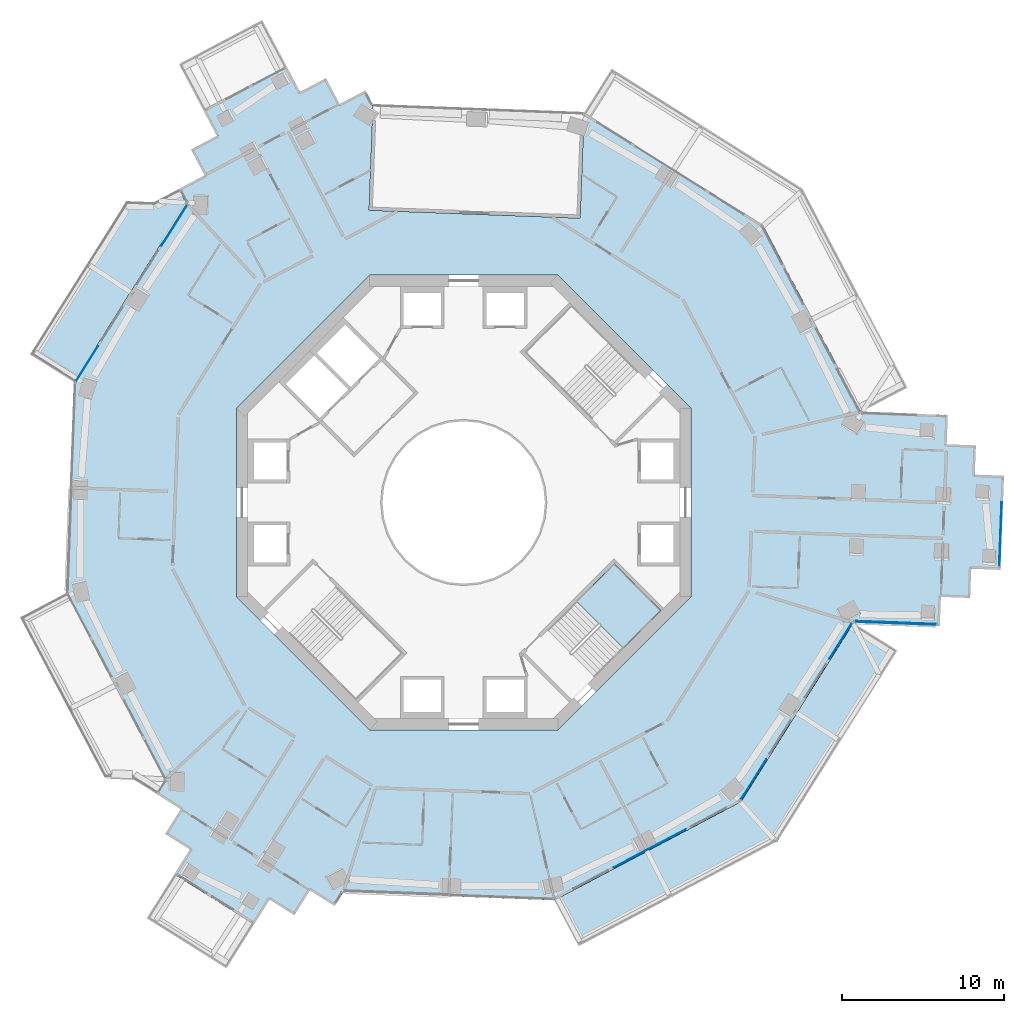
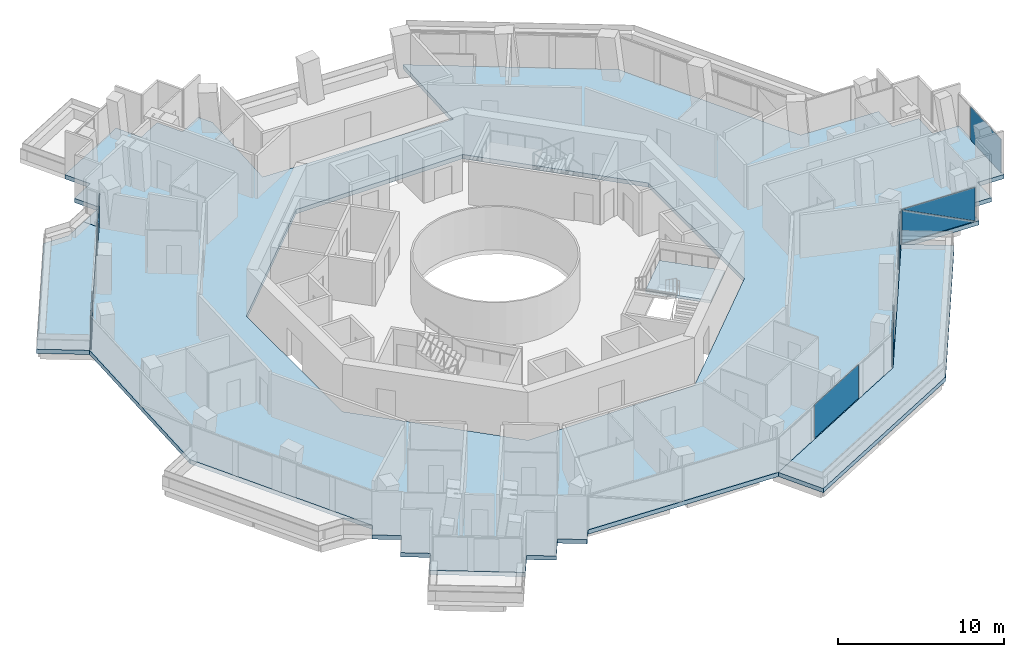
# One storey, part 12 of 23: 9 plates, 4 slabs, 6 elements without a shape of their own.
"""IFC4 building model written with IfcOpenShell, lengths in metres."""

from ifc_helpers import new_model, si_unit, direction, frame, origin, origin_2d, place, context, subcontext, project, spatial, polyline, rectangle, outline, extrude, material, layer, layer_set, type_object, element, aggregate, save


model = new_model("IFC4")

# Units and contexts
model_context = context("Model", 3, precision=1e-05, world=origin(), true_north=direction((0.0, 1.0)))
body_context = subcontext(model_context, "Body", "Model", "MODEL_VIEW")
ifc_project = project(units=[si_unit("LENGTHUNIT", "METRE"), si_unit("AREAUNIT", "SQUARE_METRE"), si_unit("VOLUMEUNIT", "CUBIC_METRE"), si_unit("PLANEANGLEUNIT", "RADIAN"), si_unit("MASSUNIT", "GRAM", prefix="KILO")], contexts=[model_context])

# Site, building, storey
site_placement = place(None, origin())
site = spatial("IfcSite", under=ifc_project, at=site_placement, CompositionType="ELEMENT")
building_placement = place(site_placement, origin())
building = spatial("IfcBuilding", under=site, at=building_placement, Name="Verdalira Terraces Hotel", CompositionType="ELEMENT")
storey_placement = place(building_placement, frame((0.0, 0.0, 147.0)))
storey = spatial("IfcBuildingStorey", under=building, at=storey_placement, Name="L35", CompositionType="ELEMENT", Elevation=147.0)

# Slabs
ifc_material_1 = material(Name="Precast concrete C40/50", Category="concrete")
ifc_layer_1 = layer(ifc_material_1, 0.31005859375)
ifc_layer_set_1 = layer_set([ifc_layer_1], Name="Balcony deck 310")
slab_type_1 = type_object("IfcSlabType", Name="Balcony deck 310", PredefinedType="FLOOR", material=ifc_layer_set_1)
slab_1_placement = place(storey_placement, frame((0.0, 0.0, -0.310059)))
element("IfcSlab", 1, at=slab_1_placement, inside=storey, type_object=slab_type_1, Name="Balcony deck", PredefinedType="FLOOR", context=body_context, shape_type="SweptSolid", body=[
    extrude(outline(polyline([(-20.768799, 18.554199), (-26.705078, 9.113037), (-23.996094, 7.409668), (-17.076416, 18.415039), (-17.543457, 19.299316), (-19.074951, 18.490479), (-20.768799, 18.554199)])), origin(), (0.0, 0.0, 1.0), 0.310059),
])
slab_2_placement = place(storey_placement, frame((0.0, 0.0, -0.310059)))
element("IfcSlab", 2, at=slab_2_placement, inside=storey, type_object=slab_type_1, Name="Balcony deck", PredefinedType="FLOOR", context=body_context, shape_type="SweptSolid", body=[
    extrude(outline(polyline([(26.705078, -9.113037), (23.996094, -7.409668), (17.076416, -18.415039), (5.581055, -24.486084), (7.075439, -27.315674), (19.329102, -20.844238), (26.705078, -9.113037)])), origin(), (0.0, 0.0, 1.0), 0.310059),
])

# Curtain wall, plates
ifc_material_2 = material(Name="Clear glass", Category="glass")
ifc_layer_2 = layer(ifc_material_2, 0.14990234375)
ifc_layer_set_2 = layer_set([ifc_layer_2], Name="CW1 curtain wall")
curtain_wall_type_1 = type_object("IfcCurtainWallType", Name="CW1 curtain wall", PredefinedType="NOTDEFINED", material=ifc_layer_set_2)
curtain_wall_1_placement = place(storey_placement, origin())
curtain_wall_1 = element("IfcCurtainWall", 3, at=curtain_wall_1_placement, inside=storey, type_object=curtain_wall_type_1, Name="CW1 curtain wall L35 edge 11", PredefinedType="NOTDEFINED")
ifc_material_3 = material(Name="Clear glass", Category="glass")
ifc_layer_3 = layer(ifc_material_3, 0.028076171875)
ifc_layer_set_3 = layer_set([ifc_layer_3], Name="CW1 glass unit 28")
plate_type_1 = type_object("IfcPlateType", Name="CW1 glass unit 28", PredefinedType="CURTAIN_PANEL", material=ifc_layer_set_3)
plate_1_placement = place(storey_placement, frame((-17.822021, 17.061768, 1.237549), z_axis=(-0.846564978, 0.532285392, 0.0), x_axis=(-0.532285392, -0.846564978, 0.0)))
plate_1 = element("IfcPlate", 4, at=plate_1_placement, type_object=plate_type_1, Name="CW1 glass unit", PredefinedType="CURTAIN_PANEL", context=body_context, shape_type="SweptSolid", body=[
    extrude(outline(polyline([(-1.482422, -1.237549), (1.482422, -1.237549), (1.482422, 1.237549), (-1.482422, -1.237549)])), origin(), (0.0, 0.0, 1.0), 0.028076),
])
plate_2_placement = place(storey_placement, frame((-17.797607, 17.046387, 1.237549), z_axis=(-0.846564978, 0.532285392, 0.0), x_axis=(-0.532285392, -0.846564978, 0.0)))
plate_2 = element("IfcPlate", 5, at=plate_2_placement, type_object=plate_type_1, Name="CW1 glass unit", PredefinedType="CURTAIN_PANEL", context=body_context, shape_type="SweptSolid", body=[
    extrude(outline(polyline([(-1.482422, -1.237549), (1.482422, 1.237549), (-1.482422, 1.237549), (-1.482422, -1.237549)])), origin(), (0.0, 0.0, 1.0), 0.028076),
])
plate_3_placement = place(storey_placement, frame((-23.196777, 8.540039, 0.0), z_axis=(0.0, 0.0, 1.0), x_axis=(-0.532285392, -0.846564978, 0.0)))
plate_3 = element("IfcPlate", 6, at=plate_3_placement, type_object=plate_type_1, Name="CW1 glass unit", PredefinedType="CURTAIN_PANEL", context=body_context, shape_type="SweptSolid", body=[
    extrude(rectangle(XDim=2.564209, YDim=0.028076, at=origin_2d()), origin(), (0.0, 0.0, 1.0), 2.475098),
])
aggregate(curtain_wall_1, [plate_1, plate_2, plate_3])

# Curtain wall, plate
curtain_wall_2_placement = place(storey_placement, origin())
curtain_wall_2 = element("IfcCurtainWall", 7, at=curtain_wall_2_placement, inside=storey, type_object=curtain_wall_type_1, Name="CW1 curtain wall L35 edge 26", PredefinedType="NOTDEFINED")
plate_4_placement = place(storey_placement, frame((11.451904, -21.300781, 0.0), z_axis=(0.0, 0.0, 1.0), x_axis=(0.88425516, 0.467004081, 0.0)))
plate_4 = element("IfcPlate", 8, at=plate_4_placement, type_object=plate_type_1, Name="CW1 glass unit", PredefinedType="CURTAIN_PANEL", context=body_context, shape_type="SweptSolid", body=[
    extrude(rectangle(XDim=5.021729, YDim=0.028076, at=origin_2d()), origin(), (0.0, 0.0, 1.0), 2.475098),
])
aggregate(curtain_wall_2, [plate_4])

# Curtain wall, plates
curtain_wall_3_placement = place(storey_placement, origin())
curtain_wall_3 = element("IfcCurtainWall", 9, at=curtain_wall_3_placement, inside=storey, type_object=curtain_wall_type_1, Name="CW1 curtain wall L35 edge 27", PredefinedType="NOTDEFINED")
plate_5_placement = place(storey_placement, frame((17.844727, -17.052246, 0.0), z_axis=(0.0, 0.0, 1.0), x_axis=(0.532285392, 0.846564978, 0.0)))
plate_5 = element("IfcPlate", 10, at=plate_5_placement, type_object=plate_type_1, Name="CW1 glass unit", PredefinedType="CURTAIN_PANEL", context=body_context, shape_type="SweptSolid", body=[
    extrude(rectangle(XDim=2.924805, YDim=0.028076, at=origin_2d()), origin(), (0.0, 0.0, 1.0), 2.475098),
])
plate_6_placement = place(storey_placement, frame((23.20752, -8.522949, 0.0), z_axis=(0.0, 0.0, 1.0), x_axis=(0.532285392, 0.846564978, 0.0)))
plate_6 = element("IfcPlate", 11, at=plate_6_placement, type_object=plate_type_1, Name="CW1 glass unit", PredefinedType="CURTAIN_PANEL", context=body_context, shape_type="SweptSolid", body=[
    extrude(rectangle(XDim=2.604492, YDim=0.028076, at=origin_2d()), origin(), (0.0, 0.0, 1.0), 2.475098),
])
aggregate(curtain_wall_3, [plate_5, plate_6])

ifc_material_4 = material(Name="Clear glass", Category="glass")
ifc_layer_4 = layer(ifc_material_4, 0.14990234375)
ifc_layer_set_4 = layer_set([ifc_layer_4], Name="CW2 curtain wall")
curtain_wall_type_2 = type_object("IfcCurtainWallType", Name="CW2 curtain wall", PredefinedType="NOTDEFINED", material=ifc_layer_set_4)
curtain_wall_4_placement = place(storey_placement, origin())
curtain_wall_4 = element("IfcCurtainWall", 12, at=curtain_wall_4_placement, inside=storey, type_object=curtain_wall_type_2, Name="CW2 curtain wall L35 edge 28", PredefinedType="NOTDEFINED")
ifc_material_5 = material(Name="Clear glass", Category="glass")
ifc_layer_5 = layer(ifc_material_5, 0.031982421875)
ifc_layer_set_5 = layer_set([ifc_layer_5], Name="CW2 glass unit 32")
plate_type_2 = type_object("IfcPlateType", Name="CW2 glass unit 32", PredefinedType="CURTAIN_PANEL", material=ifc_layer_set_5)
plate_7_placement = place(storey_placement, frame((26.581299, -7.41626, 1.237549), z_axis=(-0.037690183, -0.999289473, 0.0), x_axis=(0.999289473, -0.037690183, 0.0)))
plate_7 = element("IfcPlate", 13, at=plate_7_placement, type_object=plate_type_2, Name="CW2 glass unit", PredefinedType="CURTAIN_PANEL", context=body_context, shape_type="SweptSolid", body=[
    extrude(outline(polyline([(-2.513672, -1.237549), (2.513672, -1.237549), (-2.513672, 1.237549), (-2.513672, -1.237549)])), origin(), (0.0, 0.0, 1.0), 0.031982),
])
plate_8_placement = place(storey_placement, frame((26.582764, -7.383301, 1.237549), z_axis=(-0.037690183, -0.999289473, 0.0), x_axis=(0.999289473, -0.037690183, 0.0)))
plate_8 = element("IfcPlate", 14, at=plate_8_placement, type_object=plate_type_2, Name="CW2 glass unit", PredefinedType="CURTAIN_PANEL", context=body_context, shape_type="SweptSolid", body=[
    extrude(outline(polyline([(2.513672, -1.237549), (2.513672, 1.237549), (-2.513672, 1.237549), (2.513672, -1.237549)])), origin(), (0.0, 0.0, 1.0), 0.031982),
])
aggregate(curtain_wall_4, [plate_7, plate_8])

# Curtain wall, plate
ifc_material_6 = material(Name="Clear glass", Category="glass")
ifc_layer_6 = layer(ifc_material_6, 0.14990234375)
ifc_layer_set_6 = layer_set([ifc_layer_6], Name="CW3 curtain wall")
curtain_wall_type_3 = type_object("IfcCurtainWallType", Name="CW3 curtain wall", PredefinedType="NOTDEFINED", material=ifc_layer_set_6)
curtain_wall_5_placement = place(storey_placement, origin())
curtain_wall_5 = element("IfcCurtainWall", 15, at=curtain_wall_5_placement, inside=storey, type_object=curtain_wall_type_3, Name="CW3 curtain wall L35 edge 33", PredefinedType="NOTDEFINED")
ifc_material_7 = material(Name="Clear glass", Category="glass")
ifc_layer_7 = layer(ifc_material_7, 0.035888671875)
ifc_layer_set_7 = layer_set([ifc_layer_7], Name="CW3 glass unit 36")
plate_type_3 = type_object("IfcPlateType", Name="CW3 glass unit 36", PredefinedType="CURTAIN_PANEL", material=ifc_layer_set_7)
plate_9_placement = place(storey_placement, frame((33.050537, -1.952148, 0.0), z_axis=(0.0, 0.0, 1.0), x_axis=(0.037690183, 0.999289473, 0.0)))
plate_9 = element("IfcPlate", 16, at=plate_9_placement, type_object=plate_type_3, Name="CW3 glass unit", PredefinedType="CURTAIN_PANEL", context=body_context, shape_type="SweptSolid", body=[
    extrude(rectangle(XDim=3.929932, YDim=0.035889, at=origin_2d()), origin(), (0.0, 0.0, 1.0), 2.475098),
])
aggregate(curtain_wall_5, [plate_9])

# Stair, slab
ifc_material_8 = material(Name="Concrete C40", Category="concrete")
stair_type = type_object("IfcStairType", Name="Core stair 20 risers 2000 mm wide", PredefinedType="HALF_TURN_STAIR", material=ifc_material_8)
stair_placement = place(storey_placement, origin())
stair = element("IfcStair", 17, at=stair_placement, inside=storey, type_object=stair_type, Name="L35 Exit stair ST3", PredefinedType="HALF_TURN_STAIR")
ifc_material_9 = material(Name="Concrete C40", Category="concrete")
ifc_layer_8 = layer(ifc_material_9, 0.199951171875)
ifc_layer_set_8 = layer_set([ifc_layer_8], Name="Core stair landing 200 mm")
slab_type_2 = type_object("IfcSlabType", Name="Core stair landing 200 mm", PredefinedType="LANDING", material=ifc_layer_set_8)
slab_3_placement = place(storey_placement, frame((0.0, 0.0, 1.550049)))
slab_3 = element("IfcSlab", 18, at=slab_3_placement, type_object=slab_type_2, Name="ST3 landing 1", PredefinedType="LANDING", context=body_context, shape_type="SweptSolid", body=[
    extrude(outline(polyline([(9.842529, -8.966553), (12.162354, -6.646729), (9.263184, -3.747559), (6.943359, -6.067383), (9.842529, -8.966553)])), origin(), (0.0, 0.0, 1.0), 0.199951),
])
aggregate(stair, [slab_3])

# Slab
ifc_material_10 = material(Name="Concrete C40", Category="concrete")
ifc_layer_9 = layer(ifc_material_10, 0.31005859375)
ifc_layer_set_9 = layer_set([ifc_layer_9], Name="Floor slab 310 C40")
slab_type_3 = type_object("IfcSlabType", Name="Floor slab 310 C40", PredefinedType="FLOOR", material=ifc_layer_set_9)
slab_4_placement = place(storey_placement, frame((0.0, 0.0, -0.310059)))
element("IfcSlab", 19, at=slab_4_placement, inside=storey, type_object=slab_type_3, Name="Floor slab L35", PredefinedType="FLOOR", context=body_context, shape_type="SweptSolid", body=[
    extrude(outline(polyline([(24.486084, 5.581055), (18.415039, 17.076416), (7.410156, 23.99585), (7.165283, 17.500244), (-5.82666, 17.990234), (-5.581543, 24.486572), (-5.581299, 24.486572), (-6.048096, 25.370361), (-7.639648, 24.529785), (-8.480469, 26.121338), (-10.072021, 25.280762), (-10.912598, 26.872314), (-16.04126, 24.163818), (-15.200684, 22.572266), (-16.792236, 21.731445), (-15.95166, 20.139893), (-17.543457, 19.299316), (-17.076416, 18.415039), (-23.996094, 7.409668), (-24.486084, -5.581055), (-18.415039, -17.076416), (-18.947266, -17.923096), (-17.423584, -18.881104), (-18.381592, -20.404785), (-16.85791, -21.363037), (-17.815918, -22.886719), (-12.905762, -25.974121), (-11.947754, -24.450195), (-10.423828, -25.408447), (-9.46582, -23.884521), (-7.941895, -24.842773), (-7.409668, -23.996094), (5.581055, -24.486084), (17.076416, -18.415039), (23.996094, -7.409668), (29.30957, -7.610107), (29.377441, -5.811279), (31.176025, -5.87915), (31.243896, -4.080566), (33.04248, -4.148193), (33.26123, 1.647461), (31.462402, 1.715332), (31.530518, 3.51416), (29.731689, 3.582031), (29.799561, 5.380615), (24.486084, 5.581055)]), holes=[polyline([(5.799072, 14.0), (14.0, 5.799072), (14.0, -5.799072), (5.799072, -14.0), (-5.799072, -14.0), (-14.0, -5.799072), (-14.0, 5.799072), (-5.799072, 14.0), (5.799072, 14.0)])]), origin(), (0.0, 0.0, 1.0), 0.310059),
])

save(model, "model.ifc")
